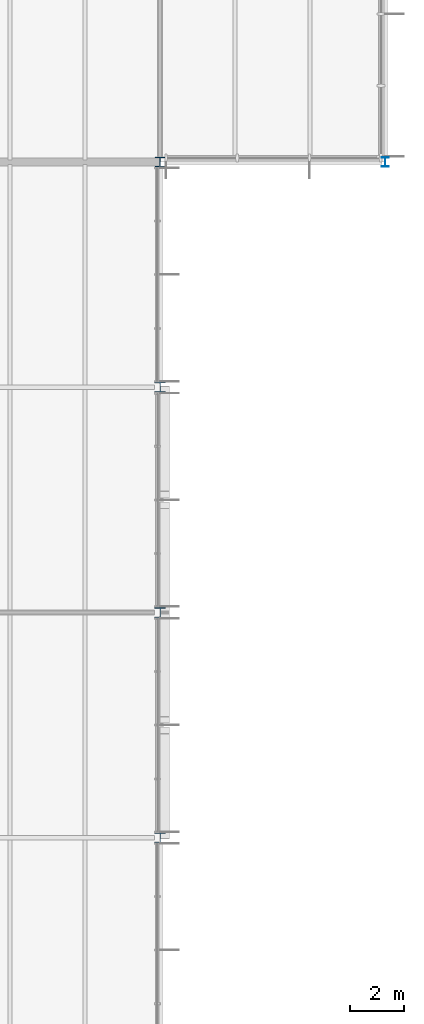
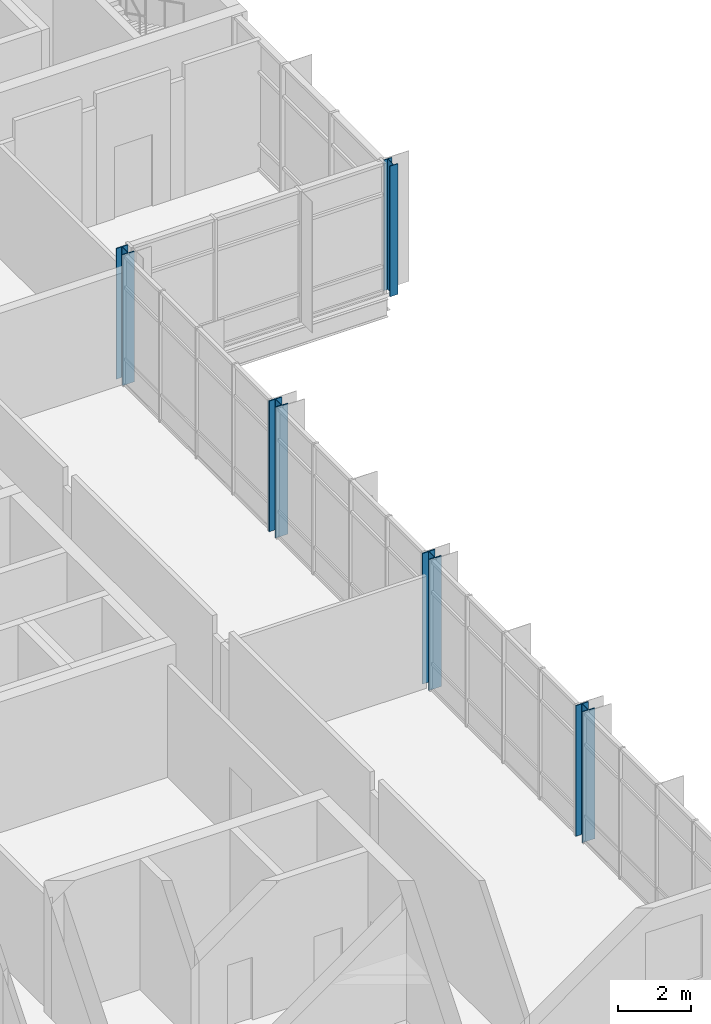
# One storey, part 6 of 72: 5 columns.
"""IFC4 building model written with IfcOpenShell, lengths in metres."""

from ifc_helpers import new_model, si_unit, direction, frame, origin, origin_2d, place, context, subcontext, project, spatial, i_section, extrude, material, material_profile, profile_set, type_object, element, save


model = new_model("IFC4")

# Units and contexts
model_context = context("Model", 3, precision=1e-05, world=origin(), true_north=direction((0.0, 1.0)))
body_context = subcontext(model_context, "Body", "Model", "MODEL_VIEW")
ifc_project = project(units=[si_unit("LENGTHUNIT", "METRE"), si_unit("AREAUNIT", "SQUARE_METRE"), si_unit("VOLUMEUNIT", "CUBIC_METRE"), si_unit("PLANEANGLEUNIT", "RADIAN"), si_unit("MASSUNIT", "GRAM", prefix="KILO")], contexts=[model_context])

# Site, building, storey
site_placement = place(None, origin())
site = spatial("IfcSite", under=ifc_project, at=site_placement, CompositionType="ELEMENT")
building_placement = place(site_placement, origin())
building = spatial("IfcBuilding", under=site, at=building_placement, Name="Hlaing Beacon Police Headquarters", CompositionType="ELEMENT")
storey_placement = place(building_placement, frame((0.0, 0.0, 14.39990234375)))
storey = spatial("IfcBuildingStorey", under=building, at=storey_placement, Name="L03", CompositionType="ELEMENT", Elevation=14.39990234375)

# Columns
ifc_material_1 = material(Name="Steel ASTM A992 Grade 50", Category="steel")
ifc_material_profile_1 = material_profile(ifc_material_1, i_section(OverallWidth=0.373291015625, OverallDepth=0.373291015625, WebThickness=0.016357421875, FlangeThickness=0.026123046875, FilletRadius=0.01513671875, at=origin_2d()), Name="W14x132")
ifc_profile_set_1 = profile_set([ifc_material_profile_1], Name="Steel ASTM A992 Grade 50")
column_type_1 = type_object("IfcColumnType", Name="Steel column W14x132", PredefinedType="COLUMN", material=ifc_profile_set_1)
column_1_placement = place(storey_placement, frame((126.0, 67.199951171875, 0.0), z_axis=(0.0, 0.0, 1.0), x_axis=(1.0, 0.0, 0.0)))
element("IfcColumn", 1, at=column_1_placement, inside=storey, type_object=column_type_1, Name="STR-COL-L03-R9", PredefinedType="COLUMN", context=body_context, shape_type="SweptSolid", body=[
    extrude(i_section(OverallWidth=0.373291015625, OverallDepth=0.373291015625, WebThickness=0.016357421875, FlangeThickness=0.026123046875, FilletRadius=0.01513671875, at=origin_2d()), origin(), (0.0, 0.0, 1.0), 4.3701171875),
])
ifc_material_2 = material(Name="Steel ASTM A992 Grade 50", Category="steel")
ifc_material_profile_2 = material_profile(ifc_material_2, i_section(OverallWidth=0.396240234375, OverallDepth=0.381103515625, WebThickness=0.01904296875, FlangeThickness=0.0302734375, FilletRadius=0.01513671875, at=origin_2d()), Name="W14x159")
ifc_profile_set_2 = profile_set([ifc_material_profile_2], Name="Steel ASTM A992 Grade 50")
column_type_2 = type_object("IfcColumnType", Name="Steel column W14x159", PredefinedType="COLUMN", material=ifc_profile_set_2)
for number, where, z_axis, x_axis, name in (
    (2, (126.0, 42.0, 0.0), (0.0, 0.0, 1.0), (1.0, 0.0, 0.0), "STR-COL-L03-R6"),
    (3, (126.0, 50.39990234375, 0.0), (0.0, 0.0, 1.0), (1.0, 0.0, 0.0), "STR-COL-L03-R7"),
    (4, (126.0, 58.800048828125, 0.0), (0.0, 0.0, 1.0), (1.0, 0.0, 0.0), "STR-COL-L03-R8"),
):
    element("IfcColumn", number, at=place(storey_placement, frame(where, z_axis=z_axis, x_axis=x_axis)), inside=storey, type_object=column_type_2, Name=name, PredefinedType="COLUMN", context=body_context, shape_type="SweptSolid", body=[
        extrude(i_section(OverallWidth=0.396240234375, OverallDepth=0.381103515625, WebThickness=0.01904296875, FlangeThickness=0.0302734375, FilletRadius=0.01513671875, at=origin_2d()), origin(), (0.0, 0.0, 1.0), 4.3701171875),
    ])
ifc_material_3 = material(Name="Steel ASTM A992 Grade 50", Category="steel")
ifc_material_profile_3 = material_profile(ifc_material_3, i_section(OverallWidth=0.25390625, OverallDepth=0.35302734375, WebThickness=0.009521484375, FlangeThickness=0.016357421875, FilletRadius=0.01513671875, at=origin_2d()), Name="W14x61")
ifc_profile_set_3 = profile_set([ifc_material_profile_3], Name="Steel ASTM A992 Grade 50")
column_type_3 = type_object("IfcColumnType", Name="Steel column W14x61", PredefinedType="COLUMN", material=ifc_profile_set_3)
column_2_placement = place(storey_placement, frame((134.39990234375, 67.199951171875, 0.0), z_axis=(0.0, 0.0, 1.0), x_axis=(1.0, 0.0, 0.0)))
element("IfcColumn", 5, at=column_2_placement, inside=storey, type_object=column_type_3, Name="STR-COL-L03-S9", PredefinedType="COLUMN", context=body_context, shape_type="SweptSolid", body=[
    extrude(i_section(OverallWidth=0.25390625, OverallDepth=0.35302734375, WebThickness=0.009521484375, FlangeThickness=0.016357421875, FilletRadius=0.01513671875, at=origin_2d()), origin(), (0.0, 0.0, 1.0), 4.3701171875),
])

save(model, "model.ifc")
